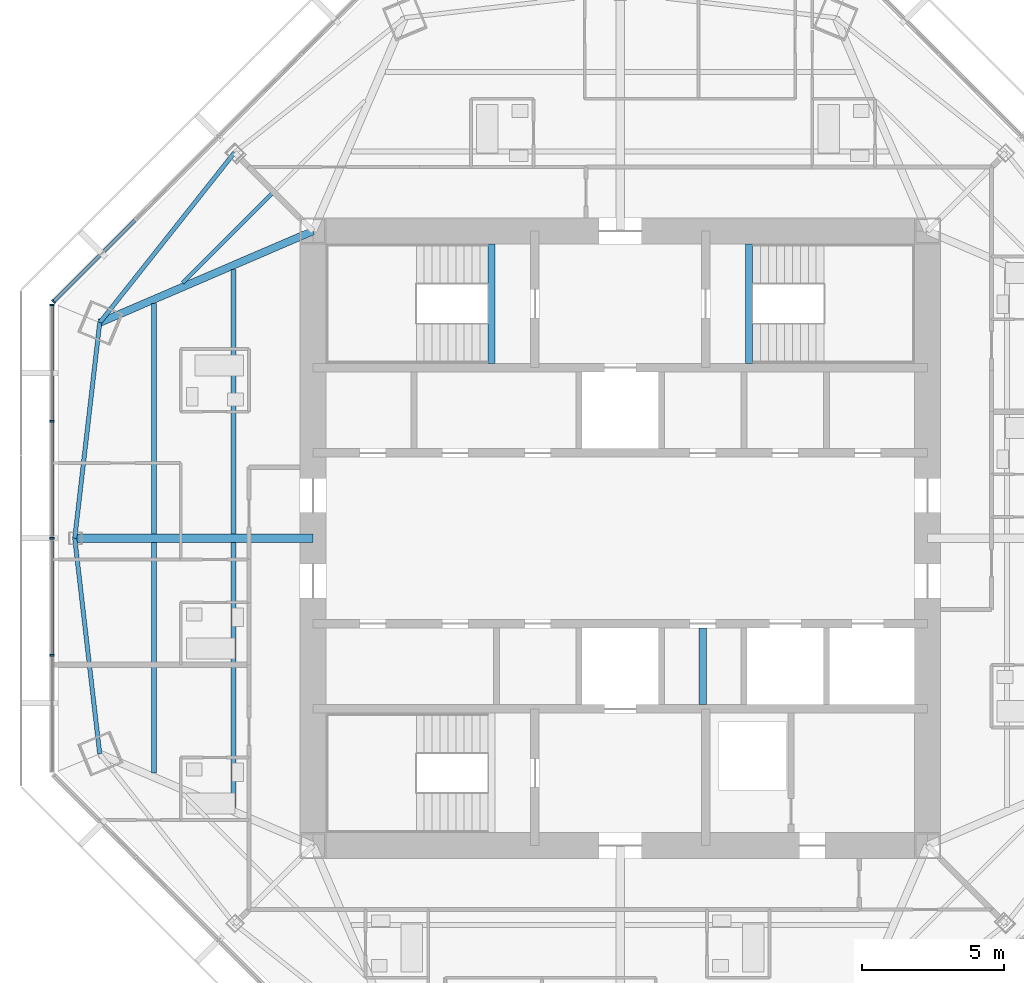
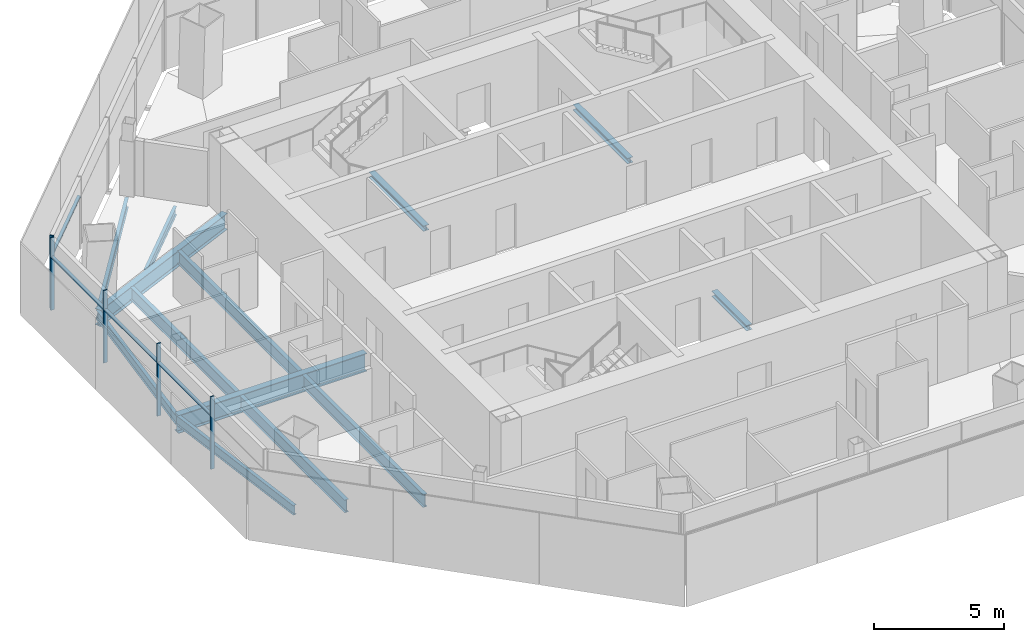
# One storey, part 4 of 14: 13 beams, 9 members, 2 elements without a shape of their own.
"""IFC4 building model written with IfcOpenShell, lengths in metres."""

from ifc_helpers import new_model, si_unit, direction, frame, origin, origin_2d, place, context, subcontext, project, spatial, rectangle, i_section, extrude, source, transform, mapped, material, material_profile, profile_set, type_object, type_shapes, element, aggregate, save


model = new_model("IFC4")

# Units and contexts
model_context = context("Model", 3, precision=1e-05, world=origin(), true_north=direction((0.0, 1.0)))
body_context = subcontext(model_context, "Body", "Model", "MODEL_VIEW")
ifc_project = project(units=[si_unit("LENGTHUNIT", "METRE"), si_unit("AREAUNIT", "SQUARE_METRE"), si_unit("VOLUMEUNIT", "CUBIC_METRE"), si_unit("PLANEANGLEUNIT", "RADIAN"), si_unit("MASSUNIT", "GRAM", prefix="KILO")], contexts=[model_context])

# Site, building, storey
site_placement = place(None, origin())
site = spatial("IfcSite", under=ifc_project, at=site_placement, CompositionType="ELEMENT")
building_placement = place(site_placement, origin())
building = spatial("IfcBuilding", under=site, at=building_placement, Name="Mashrafa Tower", CompositionType="ELEMENT")
storey_placement = place(building_placement, frame((0.0, 0.0, 284.39990234375)))
storey = spatial("IfcBuildingStorey", under=building, at=storey_placement, Name="L69", CompositionType="ELEMENT", Elevation=284.39990234375)

# Beams
ifc_material_1 = material(Name="Steel ASTM A992", Category="steel")
ifc_material_profile_1 = material_profile(ifc_material_1, i_section(OverallWidth=0.140380859375, OverallDepth=0.40380859375, WebThickness=0.007080078125, FlangeThickness=0.01123046875, FilletRadius=0.01025390625, at=origin_2d()), Name="W16X31")
ifc_profile_set_1 = profile_set([ifc_material_profile_1], Name="Steel ASTM A992")
beam_type_1 = type_object("IfcBeamType", Name="Beam W16X31", PredefinedType="BEAM", material=ifc_profile_set_1)
beam_1_placement = place(storey_placement, frame((-15.3828125, 8.97607421875, -0.40185546875), z_axis=(0.707106781187, 0.707106781187, 0.0), x_axis=(-0.707106781187, 0.707106781187, 0.0)))
element("IfcBeam", 1, at=beam_1_placement, inside=storey, type_object=beam_type_1, Name="Floor beam L69 003", PredefinedType="BEAM", context=body_context, shape_type="SweptSolid", body=[
    extrude(i_section(OverallWidth=0.140380859375, OverallDepth=0.40380859375, WebThickness=0.007080078125, FlangeThickness=0.01123046875, FilletRadius=0.01025390625, at=origin_2d()), origin(), (0.0, 0.0, 1.0), 4.441162109375),
])
ifc_material_2 = material(Name="Steel ASTM A992", Category="steel")
ifc_material_profile_2 = material_profile(ifc_material_2, i_section(OverallWidth=0.15234375, OverallDepth=0.449462890625, WebThickness=0.007568359375, FlangeThickness=0.0107421875, FilletRadius=0.01025390625, at=origin_2d()), Name="W18X35")
ifc_profile_set_2 = profile_set([ifc_material_profile_2], Name="Steel ASTM A992")
beam_type_2 = type_object("IfcBeamType", Name="Beam W18X35", PredefinedType="BEAM", material=ifc_profile_set_2)
for number, where, z_axis, x_axis, name in (
    (2, (-19.175048828125, 0.0, -0.4248046875), (0.115101421286, -0.993353745057, 0.0), (0.993353745057, 0.115101421286, 0.0), "Spandrel beam L69 041"),
    (3, (-18.296875, 7.578857421875, -0.4248046875), (-0.115101421286, -0.993353745057, 0.0), (0.993353745057, -0.115101421286, 0.0), "Spandrel beam L69 043"),
):
    element("IfcBeam", number, at=place(storey_placement, frame(where, z_axis=z_axis, x_axis=x_axis)), inside=storey, type_object=beam_type_2, Name=name, PredefinedType="BEAM", context=body_context, shape_type="SweptSolid", body=[
        extrude(i_section(OverallWidth=0.15234375, OverallDepth=0.449462890625, WebThickness=0.007568359375, FlangeThickness=0.0107421875, FilletRadius=0.01025390625, at=origin_2d()), origin(), (0.0, 0.0, 1.0), 7.629638671875),
    ])
beam_2_placement = place(storey_placement, frame((-13.558837890625, 13.558837890625, -0.4248046875), z_axis=(-0.621015992224, -0.783797893211, 0.0), x_axis=(0.783797893211, -0.621015992224, 0.0)))
element("IfcBeam", 4, at=beam_2_placement, inside=storey, type_object=beam_type_2, Name="Spandrel beam L69 045", PredefinedType="BEAM", context=body_context, shape_type="SweptSolid", body=[
    extrude(i_section(OverallWidth=0.15234375, OverallDepth=0.449462890625, WebThickness=0.007568359375, FlangeThickness=0.0107421875, FilletRadius=0.01025390625, at=origin_2d()), origin(), (0.0, 0.0, 1.0), 7.62939453125),
])
ifc_material_3 = material(Name="Steel ASTM A992", Category="steel")
ifc_material_profile_3 = material_profile(ifc_material_3, i_section(OverallWidth=0.177978515625, OverallDepth=0.599365234375, WebThickness=0.010009765625, FlangeThickness=0.012939453125, FilletRadius=0.012939453125, at=origin_2d()), Name="W24X55")
ifc_profile_set_3 = profile_set([ifc_material_profile_3], Name="Steel ASTM A992")
beam_type_3 = type_object("IfcBeamType", Name="Beam W24X55", PredefinedType="BEAM", material=ifc_profile_set_3)
for number, where, z_axis, x_axis, name in (
    (5, (-16.38330078125, -8.255859375, -0.49951171875), (0.0, 1.0, 0.0), (-1.0, 0.0, 0.0), "Floor beam L69 001"),
    (6, (-16.38330078125, 0.14599609375, -0.49951171875), (0.0, 1.0, 0.0), (-1.0, 0.0, 0.0), "Floor beam L69 002"),
):
    element("IfcBeam", number, at=place(storey_placement, frame(where, z_axis=z_axis, x_axis=x_axis)), inside=storey, type_object=beam_type_3, Name=name, PredefinedType="BEAM", context=body_context, shape_type="SweptSolid", body=[
        extrude(i_section(OverallWidth=0.177978515625, OverallDepth=0.599365234375, WebThickness=0.010009765625, FlangeThickness=0.012939453125, FilletRadius=0.012939453125, at=origin_2d()), origin(), (0.0, 0.0, 1.0), 8.10986328125),
    ])
for number, where, z_axis, x_axis, name in (
    (7, (-13.591796875, -9.455322265625, -0.49951171875), (0.0, 1.0, 0.0), (-1.0, 0.0, 0.0), "Floor beam L69 004"),
    (8, (-13.591796875, 0.14599609375, -0.49951171875), (0.0, 1.0, 0.0), (-1.0, 0.0, 0.0), "Floor beam L69 005"),
):
    element("IfcBeam", number, at=place(storey_placement, frame(where, z_axis=z_axis, x_axis=x_axis)), inside=storey, type_object=beam_type_3, Name=name, PredefinedType="BEAM", context=body_context, shape_type="SweptSolid", body=[
        extrude(i_section(OverallWidth=0.177978515625, OverallDepth=0.599365234375, WebThickness=0.010009765625, FlangeThickness=0.012939453125, FilletRadius=0.012939453125, at=origin_2d()), origin(), (0.0, 0.0, 1.0), 9.309326171875),
    ])
ifc_material_4 = material(Name="Steel ASTM A992", Category="steel")
ifc_material_profile_4 = material_profile(ifc_material_4, i_section(OverallWidth=0.2666015625, OverallDepth=0.761962890625, WebThickness=0.014404296875, FlangeThickness=0.021484375, FilletRadius=0.0166015625, at=origin_2d()), Name="W30X116")
ifc_profile_set_4 = profile_set([ifc_material_profile_4], Name="Steel ASTM A992")
beam_type_4 = type_object("IfcBeamType", Name="Beam W30X116", PredefinedType="BEAM", material=ifc_profile_set_4)
beam_3_placement = place(storey_placement, frame((-10.800048828125, 10.800048828125, -0.580810546875), z_axis=(-0.918777843899, -0.394774965721, 0.0), x_axis=(0.394774965721, -0.918777843899, 0.0)))
element("IfcBeam", 9, at=beam_3_placement, inside=storey, type_object=beam_type_4, Name="Radial girder L69 029", PredefinedType="BEAM", context=body_context, shape_type="SweptSolid", body=[
    extrude(i_section(OverallWidth=0.2666015625, OverallDepth=0.761962890625, WebThickness=0.014404296875, FlangeThickness=0.021484375, FilletRadius=0.0166015625, at=origin_2d()), origin(), (0.0, 0.0, 1.0), 8.15966796875),
])
ifc_material_5 = material(Name="Steel ASTM A992", Category="steel")
ifc_material_profile_5 = material_profile(ifc_material_5, i_section(OverallWidth=0.2919921875, OverallDepth=0.845703125, WebThickness=0.015380859375, FlangeThickness=0.0244140625, FilletRadius=0.017333984375, at=origin_2d()), Name="W33X141")
ifc_profile_set_5 = profile_set([ifc_material_profile_5], Name="Steel ASTM A992")
beam_type_5 = type_object("IfcBeamType", Name="Beam W33X141", PredefinedType="BEAM", material=ifc_profile_set_5)
beam_4_placement = place(storey_placement, frame((-10.800048828125, 0.0, -0.622802734375), z_axis=(-1.0, 0.0, 0.0), x_axis=(0.0, -1.0, 0.0)))
element("IfcBeam", 10, at=beam_4_placement, inside=storey, type_object=beam_type_5, Name="Radial girder L69 028", PredefinedType="BEAM", context=body_context, shape_type="SweptSolid", body=[
    extrude(i_section(OverallWidth=0.2919921875, OverallDepth=0.845703125, WebThickness=0.015380859375, FlangeThickness=0.0244140625, FilletRadius=0.017333984375, at=origin_2d()), origin(), (0.0, 0.0, 1.0), 8.375),
])
ifc_material_6 = material(Name="Steel ASTM A992", Category="steel")
ifc_material_profile_6 = material_profile(ifc_material_6, i_section(OverallWidth=0.25390625, OverallDepth=0.25390625, WebThickness=0.008544921875, FlangeThickness=0.01416015625, FilletRadius=0.010009765625, at=origin_2d()), Name="W10X49")
ifc_profile_set_6 = profile_set([ifc_material_profile_6], Name="Steel ASTM A992")
beam_type_6 = type_object("IfcBeamType", Name="Hoistway beam W10X49", PredefinedType="BEAM", material=ifc_profile_set_6)
beam_5_placement = place(storey_placement, frame((2.89990234375, -5.85009765625, -0.326904296875), z_axis=(0.0, 1.0, 0.0), x_axis=(-1.0, 0.0, 0.0)))
element("IfcBeam", 11, at=beam_5_placement, inside=storey, type_object=beam_type_6, Name="Hoistway beam L69 08", PredefinedType="BEAM", context=body_context, shape_type="SweptSolid", body=[
    extrude(i_section(OverallWidth=0.25390625, OverallDepth=0.25390625, WebThickness=0.008544921875, FlangeThickness=0.01416015625, FilletRadius=0.010009765625, at=origin_2d()), origin(), (0.0, 0.0, 1.0), 2.7001953125),
])
for number, where, z_axis, x_axis, name in (
    (12, (-4.530029296875, 6.14990234375, -0.326904296875), (0.0, 1.0, 0.0), (-1.0, 0.0, 0.0), "Stair S1 landing beam L69"),
    (13, (4.530029296875, 6.14990234375, -0.326904296875), (0.0, 1.0, 0.0), (-1.0, 0.0, 0.0), "Stair S2 landing beam L69"),
):
    element("IfcBeam", number, at=place(storey_placement, frame(where, z_axis=z_axis, x_axis=x_axis)), inside=storey, type_object=beam_type_6, Name=name, PredefinedType="BEAM", context=body_context, shape_type="SweptSolid", body=[
        extrude(i_section(OverallWidth=0.25390625, OverallDepth=0.25390625, WebThickness=0.008544921875, FlangeThickness=0.01416015625, FilletRadius=0.010009765625, at=origin_2d()), origin(), (0.0, 0.0, 1.0), 4.2001953125),
    ])

# Curtain wall, member
ifc_material_7 = material(Name="Unitised aluminium curtain wall", Category="aluminium")
curtain_wall_type = type_object("IfcCurtainWallType", Name="Apartment curtain wall, zone 4 CW-D 160 deep", PredefinedType="NOTDEFINED", material=ifc_material_7)
curtain_wall_1_placement = place(storey_placement, origin())
curtain_wall_1 = element("IfcCurtainWall", 14, at=curtain_wall_1_placement, inside=storey, type_object=curtain_wall_type, Name="Apartment curtain wall, zone 4 L69 north-west", PredefinedType="NOTDEFINED")
ifc_material_8 = material(Name="Extruded aluminium mullion", Category="aluminium")
ifc_material_profile_7 = material_profile(ifc_material_8, rectangle(XDim=0.159912109375, YDim=0.06005859375, at=origin_2d()), Name="Mullion 60x160")
ifc_profile_set_7 = profile_set([ifc_material_profile_7], Name="Extruded aluminium mullion")
member_type_1 = type_object("IfcMemberType", Name="Mullion CW-D 60 x 160", PredefinedType="MULLION", material=ifc_profile_set_7)
shared_shape_1 = source(origin(), body_context, "Body", "SweptSolid", [
    extrude(rectangle(XDim=0.159912109375, YDim=0.06005859375, at=origin_2d()), origin(), (0.0, 0.0, 1.0), 3.400146484375),
])
type_shapes(member_type_1, [shared_shape_1])
member_1_placement = place(storey_placement, frame((-19.917724609375, 8.3232421875, 0.0), z_axis=(0.0, 0.0, 1.0), x_axis=(0.707106781187, -0.707106781187, 0.0)))
member_1 = element("IfcMember", 15, at=member_1_placement, type_object=member_type_1, Name="CW-D mullion 5", PredefinedType="MULLION", context=body_context, shape_type="MappedRepresentation", body=[
    mapped(shared_shape_1, transform((0.0, 0.0, 0.0))),
])

# Curtain wall, members
curtain_wall_2_placement = place(storey_placement, origin())
curtain_wall_2 = element("IfcCurtainWall", 16, at=curtain_wall_2_placement, inside=storey, type_object=curtain_wall_type, Name="Apartment curtain wall, zone 4 L69 west", PredefinedType="NOTDEFINED")
member_2_placement = place(storey_placement, frame((-19.969482421875, 8.198486328125, 0.0), z_axis=(0.0, 0.0, 1.0), x_axis=(1.0, 0.0, 0.0)))
member_2 = element("IfcMember", 17, at=member_2_placement, type_object=member_type_1, Name="CW-D mullion 1", PredefinedType="MULLION", context=body_context, shape_type="MappedRepresentation", body=[
    mapped(shared_shape_1, transform((0.0, 0.0, 0.0))),
])
member_3_placement = place(storey_placement, frame((-19.969482421875, 4.1142578125, 0.0), z_axis=(0.0, 0.0, 1.0), x_axis=(1.0, 0.0, 0.0)))
member_3 = element("IfcMember", 18, at=member_3_placement, type_object=member_type_1, Name="CW-D mullion 2", PredefinedType="MULLION", context=body_context, shape_type="MappedRepresentation", body=[
    mapped(shared_shape_1, transform((0.0, 0.0, 0.0))),
])
member_4_placement = place(storey_placement, frame((-19.969482421875, 0.0, 0.0), z_axis=(0.0, 0.0, 1.0), x_axis=(1.0, 0.0, 0.0)))
member_4 = element("IfcMember", 19, at=member_4_placement, type_object=member_type_1, Name="CW-D mullion 3", PredefinedType="MULLION", context=body_context, shape_type="MappedRepresentation", body=[
    mapped(shared_shape_1, transform((0.0, 0.0, 0.0))),
])
member_5_placement = place(storey_placement, frame((-19.969482421875, -4.1142578125, 0.0), z_axis=(0.0, 0.0, 1.0), x_axis=(1.0, 0.0, 0.0)))
member_5 = element("IfcMember", 20, at=member_5_placement, type_object=member_type_1, Name="CW-D mullion 4", PredefinedType="MULLION", context=body_context, shape_type="MappedRepresentation", body=[
    mapped(shared_shape_1, transform((0.0, 0.0, 0.0))),
])

# Member
ifc_material_9 = material(Name="Extruded aluminium transom", Category="aluminium")
ifc_material_profile_8 = material_profile(ifc_material_9, rectangle(XDim=0.1279296875, YDim=0.074951171875, at=origin_2d()), Name="Transom 75x128")
ifc_profile_set_8 = profile_set([ifc_material_profile_8], Name="Extruded aluminium transom")
member_type_2 = type_object("IfcMemberType", Name="Transom CW-D 75 x 128", PredefinedType="MULLION", material=ifc_profile_set_8)
shared_shape_2 = source(origin(), body_context, "Body", "SweptSolid", [
    extrude(rectangle(XDim=0.1279296875, YDim=0.074951171875, at=origin_2d()), origin(), (0.0, 0.0, 1.0), 4.024169921875),
])
member_6_placement = place(storey_placement, frame((-17.051025390625, 11.190185546875, 2.5), z_axis=(-0.707076446926, -0.707137114146, 0.0), x_axis=(0.707137114146, -0.707076446926, 0.0)))
member_6 = element("IfcMember", 21, at=member_6_placement, type_object=member_type_2, Name="CW-D transom 4", PredefinedType="MULLION", context=body_context, shape_type="MappedRepresentation", body=[
    mapped(shared_shape_2, transform((0.0, 0.0, 0.0))),
])

aggregate(curtain_wall_1, [member_1, member_6])

member_7_placement = place(storey_placement, frame((-19.969482421875, 8.16845703125, 2.5), z_axis=(0.0, -1.0, 0.0), x_axis=(1.0, 0.0, 0.0)))
member_7 = element("IfcMember", 22, at=member_7_placement, type_object=member_type_2, Name="CW-D transom 1", PredefinedType="MULLION", context=body_context, shape_type="MappedRepresentation", body=[
    mapped(shared_shape_2, transform((0.0, 0.0, 0.0))),
])

shared_shape_3 = source(origin(), body_context, "Body", "SweptSolid", [
    extrude(rectangle(XDim=0.1279296875, YDim=0.074951171875, at=origin_2d()), origin(), (0.0, 0.0, 1.0), 4.05419921875),
])
type_shapes(member_type_2, [shared_shape_2, shared_shape_3])
member_8_placement = place(storey_placement, frame((-19.969482421875, 4.084228515625, 2.5), z_axis=(0.0, -1.0, 0.0), x_axis=(1.0, 0.0, 0.0)))
member_8 = element("IfcMember", 23, at=member_8_placement, type_object=member_type_2, Name="CW-D transom 2", PredefinedType="MULLION", context=body_context, shape_type="MappedRepresentation", body=[
    mapped(shared_shape_3, transform((0.0, 0.0, 0.0))),
])

member_9_placement = place(storey_placement, frame((-19.969482421875, -0.030029296875, 2.5), z_axis=(0.0, -1.0, 0.0), x_axis=(1.0, 0.0, 0.0)))
member_9 = element("IfcMember", 24, at=member_9_placement, type_object=member_type_2, Name="CW-D transom 3", PredefinedType="MULLION", context=body_context, shape_type="MappedRepresentation", body=[
    mapped(shared_shape_3, transform((0.0, 0.0, 0.0))),
])

aggregate(curtain_wall_2, [member_2, member_3, member_4, member_5, member_7, member_8, member_9])

save(model, "model.ifc")
